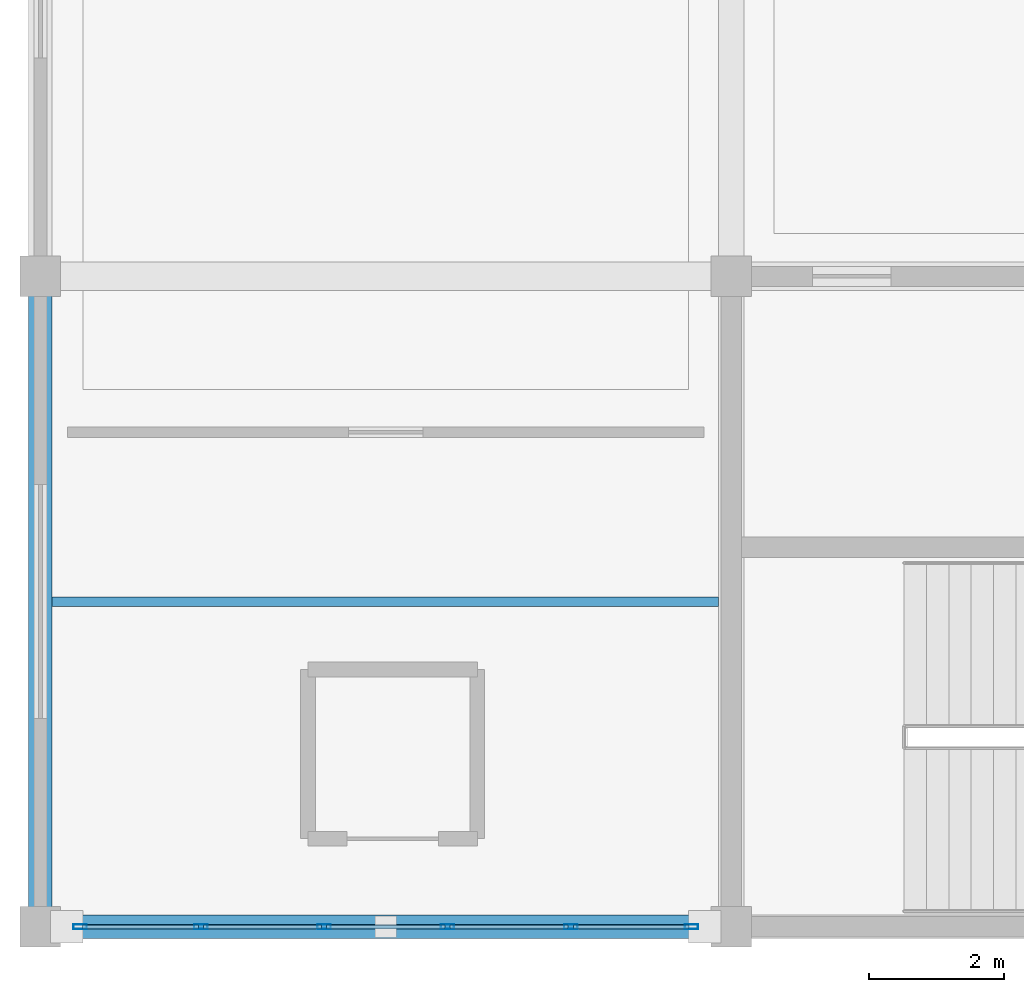
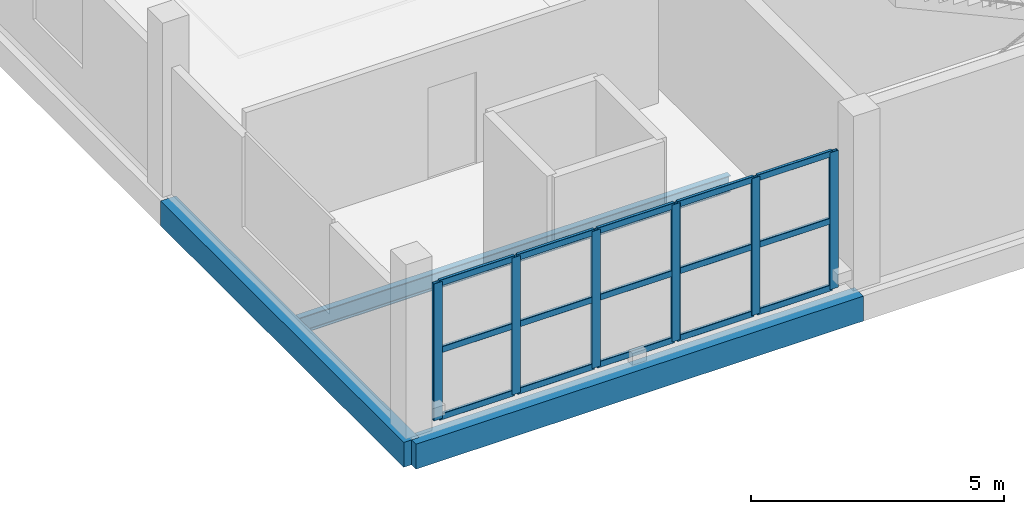
# One storey, part 2 of 24: 21 members, 3 beams, 1 element without a shape of its own.
"""IFC4 building model written with IfcOpenShell, lengths in metres."""

import ifcopenshell
import ifcopenshell.guid

model = None  # the IFC model being written
_history = None  # IfcOwnerHistory: only IFC2X3 demands one
_inside = {}  # id of a spatial element -> (the spatial element, [elements in it])
_under = {}  # id of a project, library or spatial element -> (it, [spatial elements below it])
_declared = {}  # id of a project -> (the project, [libraries it declares])
_typed = {}  # id of a type object -> (the type object, [elements of that type])
_made_of = {}  # id of a material, layer set ... -> (it, [elements and type objects made of it])


def new_model(schema):
    """Start an empty IFC model of exactly this schema.

    Asked for "IFC4X3", IfcOpenShell would pick the latest addendum, in which some entities
    have other attributes; the version numbers below select the first issue.
    IFC2X3 requires an IfcOwnerHistory on every rooted entity: one is made here for all.
    """
    global model, _history
    if schema == "IFC4X3":
        model = ifcopenshell.file(schema_version=(4, 3, 0, 0))
    else:
        model = ifcopenshell.file(schema=schema)
    _inside.clear()
    _under.clear()
    _declared.clear()
    _typed.clear()
    _made_of.clear()
    _history = None
    if model.schema == "IFC2X3":
        org = make("IfcOrganization", Name="unknown")
        user = make(
            "IfcPersonAndOrganization",
            ThePerson=make("IfcPerson", FamilyName="unknown"),
            TheOrganization=org,
        )
        app = make(
            "IfcApplication",
            ApplicationDeveloper=org,
            Version="unknown",
            ApplicationFullName="unknown",
            ApplicationIdentifier="unknown",
        )
        _history = make(
            "IfcOwnerHistory",
            OwningUser=user,
            OwningApplication=app,
            ChangeAction="ADDED",
            CreationDate=0,
        )
    return model


def make(cls, **values):
    """One entity of the class cls with the attributes given. An attribute that is None is left unset."""
    return model.create_entity(
        cls, **{name: value for name, value in values.items() if value is not None}
    )


def rooted(cls, **values):
    """An entity with a GlobalId (a new one), such as an element, a storey or a relation."""
    return make(cls, GlobalId=ifcopenshell.guid.new(), OwnerHistory=_history, **values)


def si_unit(unit_type, name, prefix=None):
    """IfcSIUnit, for example si_unit("LENGTHUNIT", "METRE", prefix="MILLI")."""
    return make("IfcSIUnit", UnitType=unit_type, Prefix=prefix, Name=name)


def assignment(units):
    """IfcUnitAssignment: the units of a project."""
    return None if units is None else make("IfcUnitAssignment", Units=units)


def point(xyz):
    """IfcCartesianPoint."""
    return None if xyz is None else make("IfcCartesianPoint", Coordinates=xyz)


def direction(xyz):
    """IfcDirection."""
    return None if xyz is None else make("IfcDirection", DirectionRatios=xyz)


def frame(location, z_axis=None, x_axis=None):
    """IfcAxis2Placement3D, a coordinate frame: its origin and axes. An axis left out is left unset."""
    return make(
        "IfcAxis2Placement3D",
        Location=point(location),
        Axis=direction(z_axis),
        RefDirection=direction(x_axis),
    )


def frame_2d(location, x_axis=None):
    """IfcAxis2Placement2D, a coordinate frame in the plane: its origin and x axis."""
    return make(
        "IfcAxis2Placement2D", Location=point(location), RefDirection=direction(x_axis)
    )


def origin():
    """The frame at (0, 0, 0) with its axes left unset."""
    return frame((0.0, 0.0, 0.0))


def origin_2d():
    """The frame at (0, 0) in the plane with its x axis left unset."""
    return frame_2d((0.0, 0.0))


def place(relative_to, where):
    """IfcLocalPlacement: puts the frame where relative to a parent placement (None: the world)."""
    return make(
        "IfcLocalPlacement", PlacementRelTo=relative_to, RelativePlacement=where
    )


def context(
    kind, dimensions, precision=None, world=None, true_north=None, identifier=None
):
    """IfcGeometricRepresentationContext, for example the 3D "Model" context."""
    return make(
        "IfcGeometricRepresentationContext",
        ContextIdentifier=identifier,
        ContextType=kind,
        CoordinateSpaceDimension=dimensions,
        Precision=precision,
        WorldCoordinateSystem=world,
        TrueNorth=true_north,
    )


def subcontext(parent, identifier, kind, view, scale=None):
    """IfcGeometricRepresentationSubContext, for example "Body" below "Model"."""
    return make(
        "IfcGeometricRepresentationSubContext",
        ContextIdentifier=identifier,
        ContextType=kind,
        ParentContext=parent,
        TargetScale=scale,
        TargetView=view,
    )


def project(units=None, contexts=None):
    """IfcProject with its units and contexts."""
    return rooted(
        "IfcProject",
        Name="project",
        RepresentationContexts=contexts,
        UnitsInContext=assignment(units),
    )


def spatial(cls, under=None, at=None, **own):
    """A site, building, storey or space (cls), placed at a placement, below another one or the project."""
    s = rooted(cls, ObjectPlacement=at, **own)
    if under is not None:
        _under.setdefault(under.id(), (under, []))[1].append(s)
    return s


def profile(cls, at=None, kind="AREA", **sizes):
    """A parametric profile (cls). Its sizes go by their IFC names, for example OverallWidth=200.0."""
    return make(cls, ProfileType=kind, Position=at, **sizes)


def rectangle(**sizes):
    """IfcRectangleProfileDef."""
    return profile("IfcRectangleProfileDef", **sizes)


def hollow_rectangle(**sizes):
    """IfcRectangleHollowProfileDef."""
    return profile("IfcRectangleHollowProfileDef", **sizes)


def i_section(**sizes):
    """IfcIShapeProfileDef."""
    return profile("IfcIShapeProfileDef", **sizes)


def extrude(swept, where, along, depth):
    """IfcExtrudedAreaSolid: the profile swept, set in the frame where, extruded along a direction by depth."""
    return make(
        "IfcExtrudedAreaSolid",
        SweptArea=swept,
        Position=where,
        ExtrudedDirection=direction(along),
        Depth=depth,
    )


def shape(context_of_items, identifier, shape_type, items):
    """IfcShapeRepresentation: the items that make up one representation, for example the "Body"."""
    return make(
        "IfcShapeRepresentation",
        ContextOfItems=context_of_items,
        RepresentationIdentifier=identifier,
        RepresentationType=shape_type,
        Items=items,
    )


def material(Name=None, Category=None):
    """IfcMaterial."""
    return make("IfcMaterial", Name=Name, Category=Category)


def material_profile(
    of_material, cross_section, Name=None, Category=None, Priority=None
):
    """IfcMaterialProfile: a cross section and its material."""
    return make(
        "IfcMaterialProfile",
        Name=Name,
        Material=of_material,
        Profile=cross_section,
        Priority=Priority,
        Category=Category,
    )


def profile_set(profiles, Name=None, composite=None):
    """IfcMaterialProfileSet."""
    return make(
        "IfcMaterialProfileSet",
        Name=Name,
        MaterialProfiles=profiles,
        CompositeProfile=composite,
    )


def made_of(thing, what):
    """Note that an element or type object is made of a material, layer set ...; save() writes the relation."""
    if what is not None:
        _made_of.setdefault(what.id(), (what, []))[1].append(thing)
    return thing


def type_object(cls, material=None, **own):
    """A type object (cls), such as IfcWallType, which elements share."""
    return made_of(rooted(cls, **own), material)


def element(
    cls,
    number,
    at=None,
    inside=None,
    cuts=None,
    type_object=None,
    material=None,
    context=None,
    identifier="Body",
    shape_type=None,
    held_by="IfcProductDefinitionShape",
    body=None,
    shapes=None,
    **own,
):
    """One element of the class cls, such as IfcWall. Its Tag is "e" and its number.

    at: its placement. inside: the storey or other place that contains it. cuts: it is an
    opening in that element (IfcRelVoidsElement). A single representation is given by context,
    identifier, shape_type and body (its items); several are given by shapes. held_by: the class
    of the entity that holds the representations. save() writes the other relations.
    """
    e = rooted(cls, Tag="e%d" % number, ObjectPlacement=at, **own)
    if body is not None:
        shapes = [shape(context, identifier, shape_type, body)]
    if shapes is not None:
        e.Representation = make(held_by, Representations=shapes)
    if inside is not None:
        _inside.setdefault(inside.id(), (inside, []))[1].append(e)
    if cuts is not None:
        rooted(
            "IfcRelVoidsElement", RelatingBuildingElement=cuts, RelatedOpeningElement=e
        )
    if type_object is not None:
        _typed.setdefault(type_object.id(), (type_object, []))[1].append(e)
    return made_of(e, material)


def aggregate(whole, parts):
    """IfcRelAggregates: a whole, such as a stair, and the parts it consists of."""
    return rooted("IfcRelAggregates", RelatingObject=whole, RelatedObjects=parts)


def save(model, path):
    """Write the relations noted so far, then the file.

    IfcRelAggregates (storeys below a building ...), IfcRelContainedInSpatialStructure (elements
    in a storey), IfcRelDefinesByType, IfcRelAssociatesMaterial and IfcRelDeclares: one each for
    every whole, place, type object, material and project.
    """
    for whole, parts in _under.values():
        aggregate(whole, parts)
    for where, things in _inside.values():
        rooted(
            "IfcRelContainedInSpatialStructure",
            RelatedElements=things,
            RelatingStructure=where,
        )
    for kind, things in _typed.values():
        rooted("IfcRelDefinesByType", RelatedObjects=things, RelatingType=kind)
    for what, things in _made_of.values():
        rooted("IfcRelAssociatesMaterial", RelatedObjects=things, RelatingMaterial=what)
    for by, libraries in _declared.values():
        rooted("IfcRelDeclares", RelatingContext=by, RelatedDefinitions=libraries)
    model.write(path)


model = new_model("IFC4")

# Units and contexts
model_context = context("Model", 3, precision=1e-05, world=origin(), true_north=direction((0.0, 1.0)))
body_context = subcontext(model_context, "Body", "Model", "MODEL_VIEW")
ifc_project = project(units=[si_unit("LENGTHUNIT", "METRE"), si_unit("AREAUNIT", "SQUARE_METRE"), si_unit("VOLUMEUNIT", "CUBIC_METRE"), si_unit("PLANEANGLEUNIT", "RADIAN"), si_unit("MASSUNIT", "GRAM", prefix="KILO")], contexts=[model_context])

# Site, building, storey
site_placement = place(None, origin())
site = spatial("IfcSite", under=ifc_project, at=site_placement, CompositionType="ELEMENT")
building_placement = place(site_placement, origin())
building = spatial("IfcBuilding", under=site, at=building_placement, Name="Brelvane Convention Centre", CompositionType="ELEMENT")
storey_placement = place(building_placement, frame((0.0, 0.0, 19.199951171875)))
storey = spatial("IfcBuildingStorey", under=building, at=storey_placement, Name="L04", CompositionType="ELEMENT", Elevation=19.199951171875)

# Curtain wall, members
ifc_material_1 = material(Name="Anodised Aluminium Alloy 6063-T6", Category="aluminium")
curtain_wall_type = type_object("IfcCurtainWallType", Name="Curtain Wall CW-COURT", PredefinedType="USERDEFINED", material=ifc_material_1)
curtain_wall_placement = place(storey_placement, origin())
curtain_wall = element("IfcCurtainWall", 1, at=curtain_wall_placement, inside=storey, type_object=curtain_wall_type, Name="Curtain Wall CW-COURT L04-V4S-01", ObjectType="UNITISED", PredefinedType="USERDEFINED")
ifc_material_2 = material(Name="Anodised Aluminium Alloy 6063-T6", Category="aluminium")
ifc_material_profile_1 = material_profile(ifc_material_2, hollow_rectangle(XDim=0.074951171875, YDim=0.199951171875, WallThickness=0.0048828125, InnerFilletRadius=0.0048828125, OuterFilletRadius=0.010009765625, at=origin_2d()), Name="ALU-M 200x75x5.0")
ifc_profile_set_1 = profile_set([ifc_material_profile_1], Name="Anodised Aluminium Alloy 6063-T6")
member_type_1 = type_object("IfcMemberType", Name="Curtain Mullion CW-M2", PredefinedType="MULLION", material=ifc_profile_set_1)
member_1_placement = place(storey_placement, frame((0.58740234375, 109.199951171875, 0.0), z_axis=(0.0, 0.0, 1.0), x_axis=(0.0, 1.0, 0.0)))
member_1 = element("IfcMember", 2, at=member_1_placement, type_object=member_type_1, Name="CW-COURT mullion 1", PredefinedType="MULLION", context=body_context, shape_type="SweptSolid", body=[
    extrude(hollow_rectangle(XDim=0.074951171875, YDim=0.199951171875, WallThickness=0.0048828125, InnerFilletRadius=0.0048828125, OuterFilletRadius=0.010009765625, at=origin_2d()), origin(), (0.0, 0.0, 1.0), 3.300048828125),
])
member_2_placement = place(storey_placement, frame((2.3701171875, 109.199951171875, 0.0), z_axis=(0.0, 0.0, 1.0), x_axis=(0.0, 1.0, 0.0)))
member_2 = element("IfcMember", 3, at=member_2_placement, type_object=member_type_1, Name="CW-COURT mullion 2", PredefinedType="MULLION", context=body_context, shape_type="SweptSolid", body=[
    extrude(hollow_rectangle(XDim=0.074951171875, YDim=0.199951171875, WallThickness=0.0048828125, InnerFilletRadius=0.0048828125, OuterFilletRadius=0.010009765625, at=origin_2d()), origin(), (0.0, 0.0, 1.0), 3.300048828125),
])
member_3_placement = place(storey_placement, frame((4.18994140625, 109.199951171875, 0.0), z_axis=(0.0, 0.0, 1.0), x_axis=(0.0, 1.0, 0.0)))
member_3 = element("IfcMember", 4, at=member_3_placement, type_object=member_type_1, Name="CW-COURT mullion 3", PredefinedType="MULLION", context=body_context, shape_type="SweptSolid", body=[
    extrude(hollow_rectangle(XDim=0.074951171875, YDim=0.199951171875, WallThickness=0.0048828125, InnerFilletRadius=0.0048828125, OuterFilletRadius=0.010009765625, at=origin_2d()), origin(), (0.0, 0.0, 1.0), 3.300048828125),
])
member_4_placement = place(storey_placement, frame((6.010009765625, 109.199951171875, 0.0), z_axis=(0.0, 0.0, 1.0), x_axis=(0.0, 1.0, 0.0)))
member_4 = element("IfcMember", 5, at=member_4_placement, type_object=member_type_1, Name="CW-COURT mullion 4", PredefinedType="MULLION", context=body_context, shape_type="SweptSolid", body=[
    extrude(hollow_rectangle(XDim=0.074951171875, YDim=0.199951171875, WallThickness=0.0048828125, InnerFilletRadius=0.0048828125, OuterFilletRadius=0.010009765625, at=origin_2d()), origin(), (0.0, 0.0, 1.0), 3.300048828125),
])
member_5_placement = place(storey_placement, frame((7.830078125, 109.199951171875, 0.0), z_axis=(0.0, 0.0, 1.0), x_axis=(0.0, 1.0, 0.0)))
member_5 = element("IfcMember", 6, at=member_5_placement, type_object=member_type_1, Name="CW-COURT mullion 5", PredefinedType="MULLION", context=body_context, shape_type="SweptSolid", body=[
    extrude(hollow_rectangle(XDim=0.074951171875, YDim=0.199951171875, WallThickness=0.0048828125, InnerFilletRadius=0.0048828125, OuterFilletRadius=0.010009765625, at=origin_2d()), origin(), (0.0, 0.0, 1.0), 3.300048828125),
])
member_6_placement = place(storey_placement, frame((9.612548828125, 109.199951171875, 0.0), z_axis=(0.0, 0.0, 1.0), x_axis=(0.0, 1.0, 0.0)))
member_6 = element("IfcMember", 7, at=member_6_placement, type_object=member_type_1, Name="CW-COURT mullion 6", PredefinedType="MULLION", context=body_context, shape_type="SweptSolid", body=[
    extrude(hollow_rectangle(XDim=0.074951171875, YDim=0.199951171875, WallThickness=0.0048828125, InnerFilletRadius=0.0048828125, OuterFilletRadius=0.010009765625, at=origin_2d()), origin(), (0.0, 0.0, 1.0), 3.300048828125),
])
ifc_material_3 = material(Name="Anodised Aluminium Alloy 6063-T6", Category="aluminium")
ifc_material_profile_2 = material_profile(ifc_material_3, hollow_rectangle(XDim=0.070068359375, YDim=0.14990234375, WallThickness=0.00439453125, InnerFilletRadius=0.00439453125, OuterFilletRadius=0.009033203125, at=origin_2d()), Name="ALU-T 150x70x4.5")
ifc_profile_set_2 = profile_set([ifc_material_profile_2], Name="Anodised Aluminium Alloy 6063-T6")
member_type_2 = type_object("IfcMemberType", Name="Curtain Transom CW-T2", PredefinedType="USERDEFINED", material=ifc_profile_set_2)
member_7_placement = place(storey_placement, frame((0.625, 109.199951171875, 0.03515625), z_axis=(1.0, 0.0, 0.0), x_axis=(0.0, 1.0, 0.0)))
member_7 = element("IfcMember", 8, at=member_7_placement, type_object=member_type_2, Name="CW-COURT transom 1.1", ObjectType="TRANSOM", PredefinedType="USERDEFINED", context=body_context, shape_type="SweptSolid", body=[
    extrude(hollow_rectangle(XDim=0.070068359375, YDim=0.14990234375, WallThickness=0.00439453125, InnerFilletRadius=0.00439453125, OuterFilletRadius=0.009033203125, at=origin_2d()), origin(), (0.0, 0.0, 1.0), 1.70751953125),
])
member_8_placement = place(storey_placement, frame((0.625, 109.199951171875, 1.650146484375), z_axis=(1.0, 0.0, 0.0), x_axis=(0.0, 1.0, 0.0)))
member_8 = element("IfcMember", 9, at=member_8_placement, type_object=member_type_2, Name="CW-COURT transom 1.2", ObjectType="TRANSOM", PredefinedType="USERDEFINED", context=body_context, shape_type="SweptSolid", body=[
    extrude(hollow_rectangle(XDim=0.070068359375, YDim=0.14990234375, WallThickness=0.00439453125, InnerFilletRadius=0.00439453125, OuterFilletRadius=0.009033203125, at=origin_2d()), origin(), (0.0, 0.0, 1.0), 1.70751953125),
])
member_9_placement = place(storey_placement, frame((0.625, 109.199951171875, 3.26513671875), z_axis=(1.0, 0.0, 0.0), x_axis=(0.0, 1.0, 0.0)))
member_9 = element("IfcMember", 10, at=member_9_placement, type_object=member_type_2, Name="CW-COURT transom 1.3", ObjectType="TRANSOM", PredefinedType="USERDEFINED", context=body_context, shape_type="SweptSolid", body=[
    extrude(hollow_rectangle(XDim=0.070068359375, YDim=0.14990234375, WallThickness=0.00439453125, InnerFilletRadius=0.00439453125, OuterFilletRadius=0.009033203125, at=origin_2d()), origin(), (0.0, 0.0, 1.0), 1.70751953125),
])
member_10_placement = place(storey_placement, frame((2.407470703125, 109.199951171875, 0.03515625), z_axis=(1.0, 0.0, 0.0), x_axis=(0.0, 1.0, 0.0)))
member_10 = element("IfcMember", 11, at=member_10_placement, type_object=member_type_2, Name="CW-COURT transom 2.1", ObjectType="TRANSOM", PredefinedType="USERDEFINED", context=body_context, shape_type="SweptSolid", body=[
    extrude(hollow_rectangle(XDim=0.070068359375, YDim=0.14990234375, WallThickness=0.00439453125, InnerFilletRadius=0.00439453125, OuterFilletRadius=0.009033203125, at=origin_2d()), origin(), (0.0, 0.0, 1.0), 1.7451171875),
])
member_11_placement = place(storey_placement, frame((2.407470703125, 109.199951171875, 1.650146484375), z_axis=(1.0, 0.0, 0.0), x_axis=(0.0, 1.0, 0.0)))
member_11 = element("IfcMember", 12, at=member_11_placement, type_object=member_type_2, Name="CW-COURT transom 2.2", ObjectType="TRANSOM", PredefinedType="USERDEFINED", context=body_context, shape_type="SweptSolid", body=[
    extrude(hollow_rectangle(XDim=0.070068359375, YDim=0.14990234375, WallThickness=0.00439453125, InnerFilletRadius=0.00439453125, OuterFilletRadius=0.009033203125, at=origin_2d()), origin(), (0.0, 0.0, 1.0), 1.7451171875),
])
member_12_placement = place(storey_placement, frame((2.407470703125, 109.199951171875, 3.26513671875), z_axis=(1.0, 0.0, 0.0), x_axis=(0.0, 1.0, 0.0)))
member_12 = element("IfcMember", 13, at=member_12_placement, type_object=member_type_2, Name="CW-COURT transom 2.3", ObjectType="TRANSOM", PredefinedType="USERDEFINED", context=body_context, shape_type="SweptSolid", body=[
    extrude(hollow_rectangle(XDim=0.070068359375, YDim=0.14990234375, WallThickness=0.00439453125, InnerFilletRadius=0.00439453125, OuterFilletRadius=0.009033203125, at=origin_2d()), origin(), (0.0, 0.0, 1.0), 1.7451171875),
])
member_13_placement = place(storey_placement, frame((4.2275390625, 109.199951171875, 0.03515625), z_axis=(1.0, 0.0, 0.0), x_axis=(0.0, 1.0, 0.0)))
member_13 = element("IfcMember", 14, at=member_13_placement, type_object=member_type_2, Name="CW-COURT transom 3.1", ObjectType="TRANSOM", PredefinedType="USERDEFINED", context=body_context, shape_type="SweptSolid", body=[
    extrude(hollow_rectangle(XDim=0.070068359375, YDim=0.14990234375, WallThickness=0.00439453125, InnerFilletRadius=0.00439453125, OuterFilletRadius=0.009033203125, at=origin_2d()), origin(), (0.0, 0.0, 1.0), 1.744873046875),
])
member_14_placement = place(storey_placement, frame((4.2275390625, 109.199951171875, 1.650146484375), z_axis=(1.0, 0.0, 0.0), x_axis=(0.0, 1.0, 0.0)))
member_14 = element("IfcMember", 15, at=member_14_placement, type_object=member_type_2, Name="CW-COURT transom 3.2", ObjectType="TRANSOM", PredefinedType="USERDEFINED", context=body_context, shape_type="SweptSolid", body=[
    extrude(hollow_rectangle(XDim=0.070068359375, YDim=0.14990234375, WallThickness=0.00439453125, InnerFilletRadius=0.00439453125, OuterFilletRadius=0.009033203125, at=origin_2d()), origin(), (0.0, 0.0, 1.0), 1.744873046875),
])
member_15_placement = place(storey_placement, frame((4.2275390625, 109.199951171875, 3.26513671875), z_axis=(1.0, 0.0, 0.0), x_axis=(0.0, 1.0, 0.0)))
member_15 = element("IfcMember", 16, at=member_15_placement, type_object=member_type_2, Name="CW-COURT transom 3.3", ObjectType="TRANSOM", PredefinedType="USERDEFINED", context=body_context, shape_type="SweptSolid", body=[
    extrude(hollow_rectangle(XDim=0.070068359375, YDim=0.14990234375, WallThickness=0.00439453125, InnerFilletRadius=0.00439453125, OuterFilletRadius=0.009033203125, at=origin_2d()), origin(), (0.0, 0.0, 1.0), 1.744873046875),
])
member_16_placement = place(storey_placement, frame((6.047607421875, 109.199951171875, 0.03515625), z_axis=(1.0, 0.0, 0.0), x_axis=(0.0, 1.0, 0.0)))
member_16 = element("IfcMember", 17, at=member_16_placement, type_object=member_type_2, Name="CW-COURT transom 4.1", ObjectType="TRANSOM", PredefinedType="USERDEFINED", context=body_context, shape_type="SweptSolid", body=[
    extrude(hollow_rectangle(XDim=0.070068359375, YDim=0.14990234375, WallThickness=0.00439453125, InnerFilletRadius=0.00439453125, OuterFilletRadius=0.009033203125, at=origin_2d()), origin(), (0.0, 0.0, 1.0), 1.744873046875),
])
member_17_placement = place(storey_placement, frame((6.047607421875, 109.199951171875, 1.650146484375), z_axis=(1.0, 0.0, 0.0), x_axis=(0.0, 1.0, 0.0)))
member_17 = element("IfcMember", 18, at=member_17_placement, type_object=member_type_2, Name="CW-COURT transom 4.2", ObjectType="TRANSOM", PredefinedType="USERDEFINED", context=body_context, shape_type="SweptSolid", body=[
    extrude(hollow_rectangle(XDim=0.070068359375, YDim=0.14990234375, WallThickness=0.00439453125, InnerFilletRadius=0.00439453125, OuterFilletRadius=0.009033203125, at=origin_2d()), origin(), (0.0, 0.0, 1.0), 1.744873046875),
])
member_18_placement = place(storey_placement, frame((6.047607421875, 109.199951171875, 3.26513671875), z_axis=(1.0, 0.0, 0.0), x_axis=(0.0, 1.0, 0.0)))
member_18 = element("IfcMember", 19, at=member_18_placement, type_object=member_type_2, Name="CW-COURT transom 4.3", ObjectType="TRANSOM", PredefinedType="USERDEFINED", context=body_context, shape_type="SweptSolid", body=[
    extrude(hollow_rectangle(XDim=0.070068359375, YDim=0.14990234375, WallThickness=0.00439453125, InnerFilletRadius=0.00439453125, OuterFilletRadius=0.009033203125, at=origin_2d()), origin(), (0.0, 0.0, 1.0), 1.744873046875),
])
member_19_placement = place(storey_placement, frame((7.867431640625, 109.199951171875, 0.03515625), z_axis=(1.0, 0.0, 0.0), x_axis=(0.0, 1.0, 0.0)))
member_19 = element("IfcMember", 20, at=member_19_placement, type_object=member_type_2, Name="CW-COURT transom 5.1", ObjectType="TRANSOM", PredefinedType="USERDEFINED", context=body_context, shape_type="SweptSolid", body=[
    extrude(hollow_rectangle(XDim=0.070068359375, YDim=0.14990234375, WallThickness=0.00439453125, InnerFilletRadius=0.00439453125, OuterFilletRadius=0.009033203125, at=origin_2d()), origin(), (0.0, 0.0, 1.0), 1.70751953125),
])
member_20_placement = place(storey_placement, frame((7.867431640625, 109.199951171875, 1.650146484375), z_axis=(1.0, 0.0, 0.0), x_axis=(0.0, 1.0, 0.0)))
member_20 = element("IfcMember", 21, at=member_20_placement, type_object=member_type_2, Name="CW-COURT transom 5.2", ObjectType="TRANSOM", PredefinedType="USERDEFINED", context=body_context, shape_type="SweptSolid", body=[
    extrude(hollow_rectangle(XDim=0.070068359375, YDim=0.14990234375, WallThickness=0.00439453125, InnerFilletRadius=0.00439453125, OuterFilletRadius=0.009033203125, at=origin_2d()), origin(), (0.0, 0.0, 1.0), 1.70751953125),
])
member_21_placement = place(storey_placement, frame((7.867431640625, 109.199951171875, 3.26513671875), z_axis=(1.0, 0.0, 0.0), x_axis=(0.0, 1.0, 0.0)))
member_21 = element("IfcMember", 22, at=member_21_placement, type_object=member_type_2, Name="CW-COURT transom 5.3", ObjectType="TRANSOM", PredefinedType="USERDEFINED", context=body_context, shape_type="SweptSolid", body=[
    extrude(hollow_rectangle(XDim=0.070068359375, YDim=0.14990234375, WallThickness=0.00439453125, InnerFilletRadius=0.00439453125, OuterFilletRadius=0.009033203125, at=origin_2d()), origin(), (0.0, 0.0, 1.0), 1.70751953125),
])
aggregate(curtain_wall, [member_1, member_2, member_3, member_4, member_5, member_6, member_7, member_8, member_9, member_10, member_11, member_12, member_13, member_14, member_15, member_16, member_17, member_18, member_19, member_20, member_21])

# Beams
ifc_material_4 = material(Name="Concrete M40", Category="concrete")
ifc_material_profile_3 = material_profile(ifc_material_4, rectangle(XDim=0.35009765625, YDim=0.60009765625, at=origin_2d()), Name="RC 350x600")
ifc_profile_set_3 = profile_set([ifc_material_profile_3], Name="Concrete M40")
beam_type_1 = type_object("IfcBeamType", Name="RC Spandrel SP-RC2 (RC 350x600)", PredefinedType="SPANDREL", material=ifc_profile_set_3)
beam_1_placement = place(storey_placement, frame((0.0, 109.199951171875, -0.60498046875), z_axis=(1.0, 0.0, 0.0), x_axis=(0.0, 1.0, 0.0)))
element("IfcBeam", 23, at=beam_1_placement, inside=storey, type_object=beam_type_1, Name="L04 Beam 1-2/L", PredefinedType="SPANDREL", context=body_context, shape_type="SweptSolid", body=[
    extrude(rectangle(XDim=0.35009765625, YDim=0.60009765625, at=origin_2d()), origin(), (0.0, 0.0, 1.0), 10.199951171875),
])
beam_2_placement = place(storey_placement, frame((0.0, 109.199951171875, -0.60498046875), z_axis=(0.0, 1.0, 0.0), x_axis=(-1.0, 0.0, 0.0)))
element("IfcBeam", 24, at=beam_2_placement, inside=storey, type_object=beam_type_1, Name="L04 Girder 1/L-M", PredefinedType="SPANDREL", context=body_context, shape_type="SweptSolid", body=[
    extrude(rectangle(XDim=0.35009765625, YDim=0.60009765625, at=origin_2d()), origin(), (0.0, 0.0, 1.0), 9.60009765625),
])
ifc_material_5 = material(Name="Steel E350 (350 MPa)", Category="steel")
ifc_material_profile_4 = material_profile(ifc_material_5, i_section(OverallWidth=0.139892578125, OverallDepth=0.39990234375, WebThickness=0.0087890625, FlangeThickness=0.01611328125, FilletRadius=0.013916015625, at=origin_2d()), Name="ISMB 400")
ifc_profile_set_4 = profile_set([ifc_material_profile_4], Name="Steel E350 (350 MPa)")
beam_type_2 = type_object("IfcBeamType", Name="Steel Joist J-ST1 (ISMB 400)", PredefinedType="JOIST", material=ifc_profile_set_4)
beam_3_placement = place(storey_placement, frame((0.175048828125, 114.0, -0.5048828125), z_axis=(1.0, 0.0, 0.0), x_axis=(0.0, 1.0, 0.0)))
element("IfcBeam", 25, at=beam_3_placement, inside=storey, type_object=beam_type_2, Name="L04 Secondary Joist 1-2/LM", PredefinedType="JOIST", context=body_context, shape_type="SweptSolid", body=[
    extrude(i_section(OverallWidth=0.139892578125, OverallDepth=0.39990234375, WebThickness=0.0087890625, FlangeThickness=0.01611328125, FilletRadius=0.013916015625, at=origin_2d()), origin(), (0.0, 0.0, 1.0), 9.8349609375),
])

save(model, "model.ifc")
